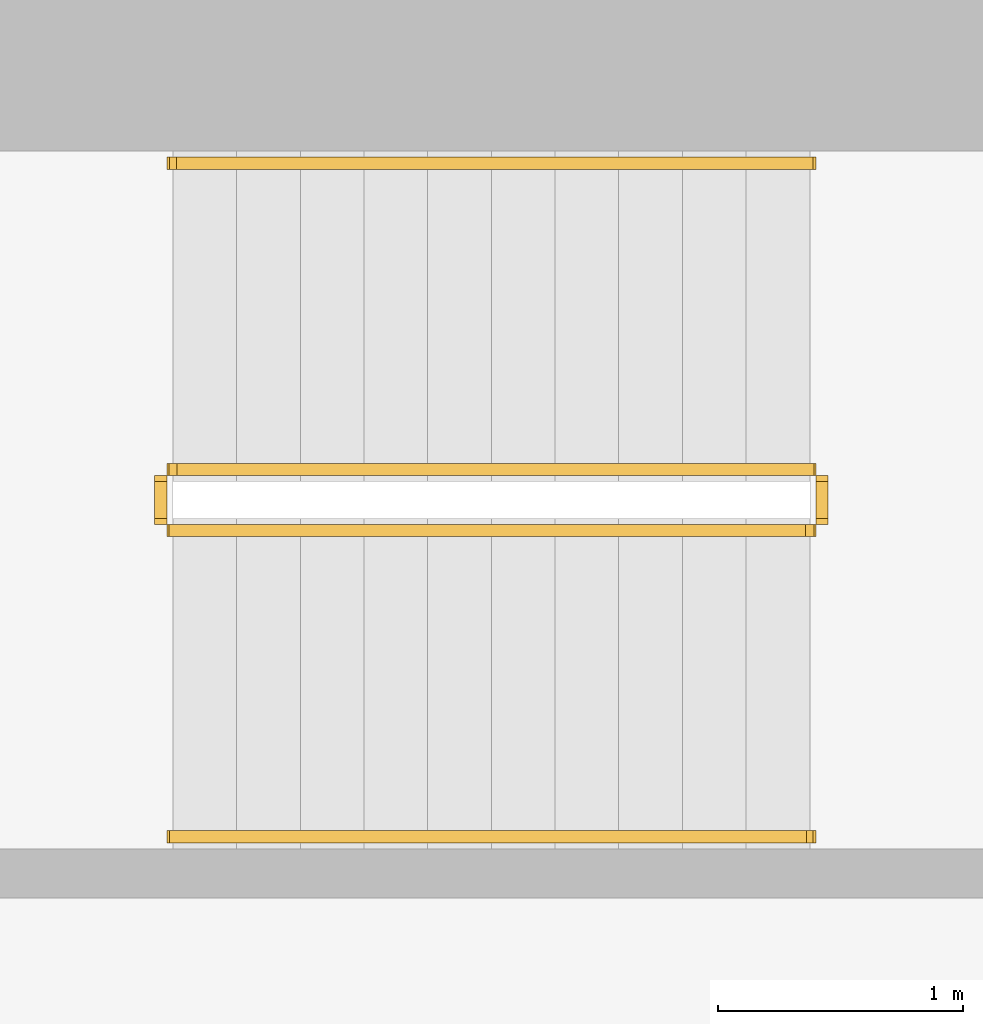
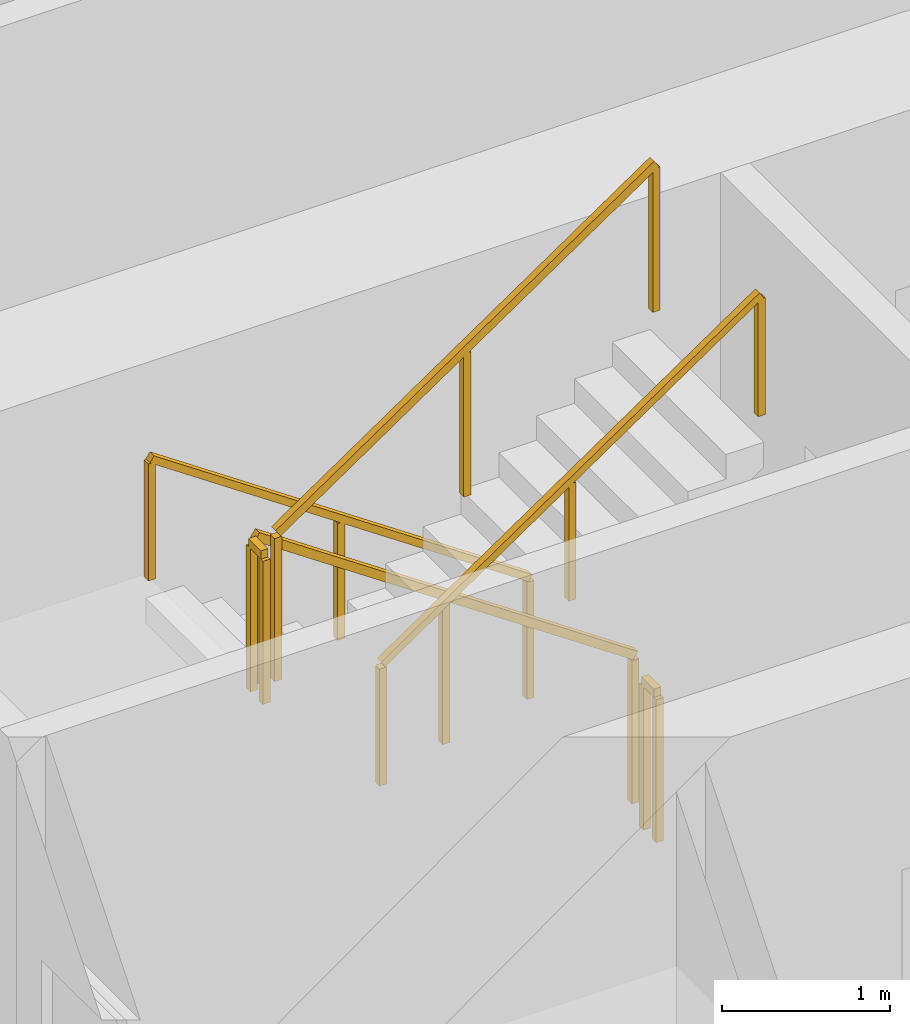
# One storey, part 14 of 15: 6 railings.
"""IFC4 building model written with IfcOpenShell, lengths in metres."""

from ifc_helpers import new_model, si_unit, direction, frame, origin, origin_2d, place, context, subcontext, project, spatial, rectangle, extrude, material, type_object, element, save


model = new_model("IFC4")

# Units and contexts
model_context = context("Model", 3, precision=1e-05, world=origin(), true_north=direction((0.0, 1.0)))
body_context = subcontext(model_context, "Body", "Model", "MODEL_VIEW")
ifc_project = project(units=[si_unit("LENGTHUNIT", "METRE"), si_unit("AREAUNIT", "SQUARE_METRE"), si_unit("VOLUMEUNIT", "CUBIC_METRE"), si_unit("PLANEANGLEUNIT", "RADIAN"), si_unit("MASSUNIT", "GRAM", prefix="KILO")], contexts=[model_context])

# Site, building, storey
site_placement = place(None, origin())
site = spatial("IfcSite", under=ifc_project, at=site_placement, CompositionType="ELEMENT")
building_placement = place(site_placement, origin())
building = spatial("IfcBuilding", under=site, at=building_placement, Name="Khepri Terraces", CompositionType="ELEMENT")
storey_placement = place(building_placement, frame((0.0, 0.0, 215.699951171875)))
storey = spatial("IfcBuildingStorey", under=building, at=storey_placement, Name="L51", CompositionType="ELEMENT", Elevation=215.699951171875)

# Railings
ifc_material = material(Name="Stainless steel 316", Category="steel")
railing_type_1 = type_object("IfcRailingType", Name="RL-CORE-GUARD", PredefinedType="GUARDRAIL", material=ifc_material)
railing_1_placement = place(storey_placement, frame((-0.25, 8.800048828125, 0.17724609375)))
element("IfcRailing", 1, at=railing_1_placement, inside=storey, type_object=railing_type_1, Name="L51 ST-3 stair guard 1", PredefinedType="GUARDRAIL", context=body_context, shape_type="SweptSolid", body=[
    extrude(rectangle(XDim=0.050048828125, YDim=0.06005859375, at=origin_2d()), frame((0.0, 0.0, 1.070068359375), z_axis=(-0.826240473404, 0.0, 0.563317565952), x_axis=(0.0, -1.0, 0.0)), (0.0, 0.0, 1.0), 3.14697265625),
    extrude(rectangle(XDim=0.050048828125, YDim=0.050048828125, at=origin_2d()), origin(), (0.0, 0.0, 1.0), 1.0400390625),
    extrude(rectangle(XDim=0.050048828125, YDim=0.050048828125, at=origin_2d()), frame((-1.300048828125, 0.0, 0.88623046875)), (0.0, 0.0, 1.0), 1.0400390625),
    extrude(rectangle(XDim=0.050048828125, YDim=0.050048828125, at=origin_2d()), frame((-2.60009765625, 0.0, 1.772705078125)), (0.0, 0.0, 1.0), 1.0400390625),
])
railing_2_placement = place(storey_placement, frame((-2.89990234375, 8.75, 1.949951171875)))
element("IfcRailing", 2, at=railing_2_placement, inside=storey, type_object=railing_type_1, Name="L51 ST-3 stair guard 2", PredefinedType="GUARDRAIL", context=body_context, shape_type="SweptSolid", body=[
    extrude(rectangle(XDim=0.050048828125, YDim=0.06005859375, at=origin_2d()), frame((0.0, 0.0, 1.070068359375), z_axis=(0.0, -1.0, 0.0), x_axis=(1.0, 0.0, 0.0)), (0.0, 0.0, 1.0), 0.14990234375),
    extrude(rectangle(XDim=0.050048828125, YDim=0.050048828125, at=origin_2d()), origin(), (0.0, 0.0, 1.0), 1.0400390625),
    extrude(rectangle(XDim=0.050048828125, YDim=0.050048828125, at=origin_2d()), frame((0.0, -0.14990234375, 0.0)), (0.0, 0.0, 1.0), 1.0400390625),
])
railing_3_placement = place(storey_placement, frame((-2.85009765625, 8.550048828125, 2.12744140625)))
element("IfcRailing", 3, at=railing_3_placement, inside=storey, type_object=railing_type_1, Name="L51 ST-3 stair guard 3", PredefinedType="GUARDRAIL", context=body_context, shape_type="SweptSolid", body=[
    extrude(rectangle(XDim=0.050048828125, YDim=0.06005859375, at=origin_2d()), frame((0.0, 0.0, 1.070068359375), z_axis=(0.826240473404, 0.0, 0.563317565952), x_axis=(0.0, 1.0, 0.0)), (0.0, 0.0, 1.0), 3.14697265625),
    extrude(rectangle(XDim=0.050048828125, YDim=0.050048828125, at=origin_2d()), origin(), (0.0, 0.0, 1.0), 1.0400390625),
    extrude(rectangle(XDim=0.050048828125, YDim=0.050048828125, at=origin_2d()), frame((1.300048828125, 0.0, 0.88623046875)), (0.0, 0.0, 1.0), 1.0400390625),
    extrude(rectangle(XDim=0.050048828125, YDim=0.050048828125, at=origin_2d()), frame((2.60009765625, 0.0, 1.772705078125)), (0.0, 0.0, 1.0), 1.0400390625),
])
railing_4_placement = place(storey_placement, frame((-0.199951171875, 8.75, 0.0)))
element("IfcRailing", 4, at=railing_4_placement, inside=storey, type_object=railing_type_1, Name="L51 ST-3 stair guard 4", PredefinedType="GUARDRAIL", context=body_context, shape_type="SweptSolid", body=[
    extrude(rectangle(XDim=0.050048828125, YDim=0.06005859375, at=origin_2d()), frame((0.0, 0.0, 1.070068359375), z_axis=(0.0, -1.0, 0.0), x_axis=(1.0, 0.0, 0.0)), (0.0, 0.0, 1.0), 0.14990234375),
    extrude(rectangle(XDim=0.050048828125, YDim=0.050048828125, at=origin_2d()), origin(), (0.0, 0.0, 1.0), 1.0400390625),
    extrude(rectangle(XDim=0.050048828125, YDim=0.050048828125, at=origin_2d()), frame((0.0, -0.14990234375, 0.0)), (0.0, 0.0, 1.0), 1.0400390625),
])
railing_type_2 = type_object("IfcRailingType", Name="RL-CORE-HANDRAIL", PredefinedType="HANDRAIL", material=ifc_material)
railing_5_placement = place(storey_placement, frame((-0.25, 10.050048828125, 0.17724609375)))
element("IfcRailing", 5, at=railing_5_placement, inside=storey, type_object=railing_type_2, Name="L51 ST-3 stair handrail 1", PredefinedType="HANDRAIL", context=body_context, shape_type="SweptSolid", body=[
    extrude(rectangle(XDim=0.050048828125, YDim=0.050048828125, at=origin_2d()), frame((0.0, 0.0, 0.875), z_axis=(-0.826240473404, 0.0, 0.563317565952), x_axis=(0.0, -1.0, 0.0)), (0.0, 0.0, 1.0), 3.14697265625),
    extrude(rectangle(XDim=0.050048828125, YDim=0.050048828125, at=origin_2d()), origin(), (0.0, 0.0, 1.0), 0.849853515625),
    extrude(rectangle(XDim=0.050048828125, YDim=0.050048828125, at=origin_2d()), frame((-1.300048828125, 0.0, 0.88623046875)), (0.0, 0.0, 1.0), 0.849853515625),
    extrude(rectangle(XDim=0.050048828125, YDim=0.050048828125, at=origin_2d()), frame((-2.60009765625, 0.0, 1.772705078125)), (0.0, 0.0, 1.0), 0.849853515625),
])
railing_6_placement = place(storey_placement, frame((-2.85009765625, 7.300048828125, 2.12744140625)))
element("IfcRailing", 6, at=railing_6_placement, inside=storey, type_object=railing_type_2, Name="L51 ST-3 stair handrail 2", PredefinedType="HANDRAIL", context=body_context, shape_type="SweptSolid", body=[
    extrude(rectangle(XDim=0.050048828125, YDim=0.050048828125, at=origin_2d()), frame((0.0, 0.0, 0.875), z_axis=(0.826240473404, 0.0, 0.563317565952), x_axis=(0.0, 1.0, 0.0)), (0.0, 0.0, 1.0), 3.14697265625),
    extrude(rectangle(XDim=0.050048828125, YDim=0.050048828125, at=origin_2d()), origin(), (0.0, 0.0, 1.0), 0.849853515625),
    extrude(rectangle(XDim=0.050048828125, YDim=0.050048828125, at=origin_2d()), frame((1.300048828125, 0.0, 0.88623046875)), (0.0, 0.0, 1.0), 0.849853515625),
    extrude(rectangle(XDim=0.050048828125, YDim=0.050048828125, at=origin_2d()), frame((2.60009765625, 0.0, 1.772705078125)), (0.0, 0.0, 1.0), 0.849853515625),
])

save(model, "model.ifc")
